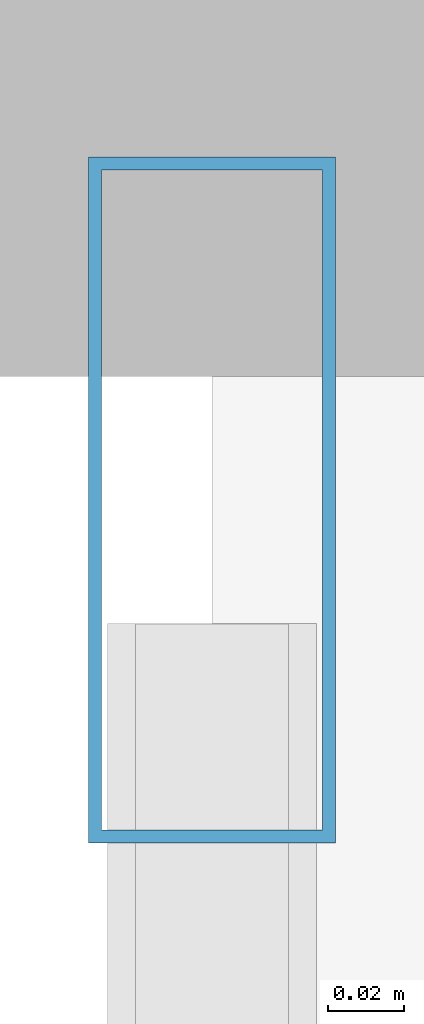
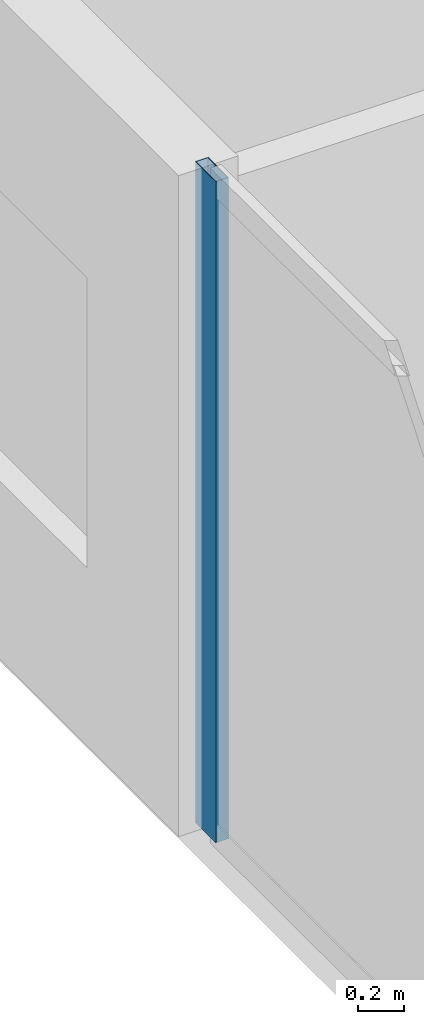
# One storey, part 15 of 32: 1 member, 1 element without a shape of its own.
"""IFC4 building model written with IfcOpenShell, lengths in metres."""

from ifc_helpers import new_model, si_unit, direction, frame, origin, origin_2d, place, context, subcontext, project, spatial, hollow_rectangle, extrude, material, layer, layer_set, material_profile, profile_set, type_object, element, aggregate, save


model = new_model("IFC4")

# Units and contexts
model_context = context("Model", 3, precision=1e-05, world=origin(), true_north=direction((0.0, 1.0)))
body_context = subcontext(model_context, "Body", "Model", "MODEL_VIEW")
ifc_project = project(units=[si_unit("LENGTHUNIT", "METRE"), si_unit("AREAUNIT", "SQUARE_METRE"), si_unit("VOLUMEUNIT", "CUBIC_METRE"), si_unit("PLANEANGLEUNIT", "RADIAN"), si_unit("MASSUNIT", "GRAM", prefix="KILO")], contexts=[model_context])

# Site, building, storey
site_placement = place(None, origin())
site = spatial("IfcSite", under=ifc_project, at=site_placement, CompositionType="ELEMENT")
building_placement = place(site_placement, origin())
building = spatial("IfcBuilding", under=site, at=building_placement, Name="Zuhayl Quay Hotel", CompositionType="ELEMENT")
storey_placement = place(building_placement, frame((0.0, 0.0, 192.39990234375)))
storey = spatial("IfcBuildingStorey", under=building, at=storey_placement, Name="L48", CompositionType="ELEMENT", Elevation=192.39990234375)

# Curtain wall, member
ifc_material_1 = material(Name="Anodised Aluminium 6063-T6", Category="aluminium")
ifc_layer = layer(ifc_material_1, 0.175048828125, Name="Anodised Aluminium 6063-T6", Category="aluminium")
ifc_layer_set = layer_set([ifc_layer], Name="Anodised Aluminium 6063-T6")
curtain_wall_type = type_object("IfcCurtainWallType", Name="CW_SYS_Z3", PredefinedType="USERDEFINED", material=ifc_layer_set)
curtain_wall_placement = place(storey_placement, origin())
curtain_wall = element("IfcCurtainWall", 1, at=curtain_wall_placement, inside=storey, type_object=curtain_wall_type, Name="L48 Curtain Wall ENV_L48_E05_CW1", ObjectType="UNITISED CURTAIN WALL", PredefinedType="USERDEFINED")
ifc_material_2 = material(Name="Black-anodised aluminium 6063-T6", Category="aluminium")
ifc_material_profile = material_profile(ifc_material_2, hollow_rectangle(XDim=0.06494140625, YDim=0.179931640625, WallThickness=0.00341796875, at=origin_2d()), Name="ALU180X65")
ifc_profile_set = profile_set([ifc_material_profile], Name="Black-anodised aluminium 6063-T6")
member_type = type_object("IfcMemberType", Name="MB_CW_MUL_180", PredefinedType="MULLION", material=ifc_profile_set)
member_placement = place(storey_placement, frame((-22.10009765625, 24.517578125, 0.0), z_axis=(0.0, 0.0, 1.0), x_axis=(-1.0, 0.0, 0.0)))
member = element("IfcMember", 2, at=member_placement, type_object=member_type, Name="CW-Z3 mullion 2", PredefinedType="MULLION", context=body_context, shape_type="SweptSolid", body=[
    extrude(hollow_rectangle(XDim=0.06494140625, YDim=0.179931640625, WallThickness=0.00341796875, at=origin_2d()), origin(), (0.0, 0.0, 1.0), 3.530029296875),
])
aggregate(curtain_wall, [member])

save(model, "model.ifc")
